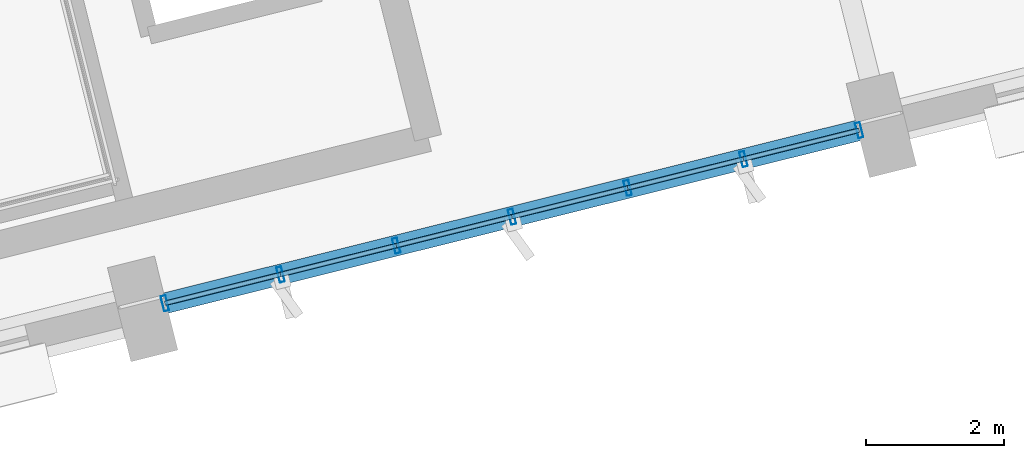
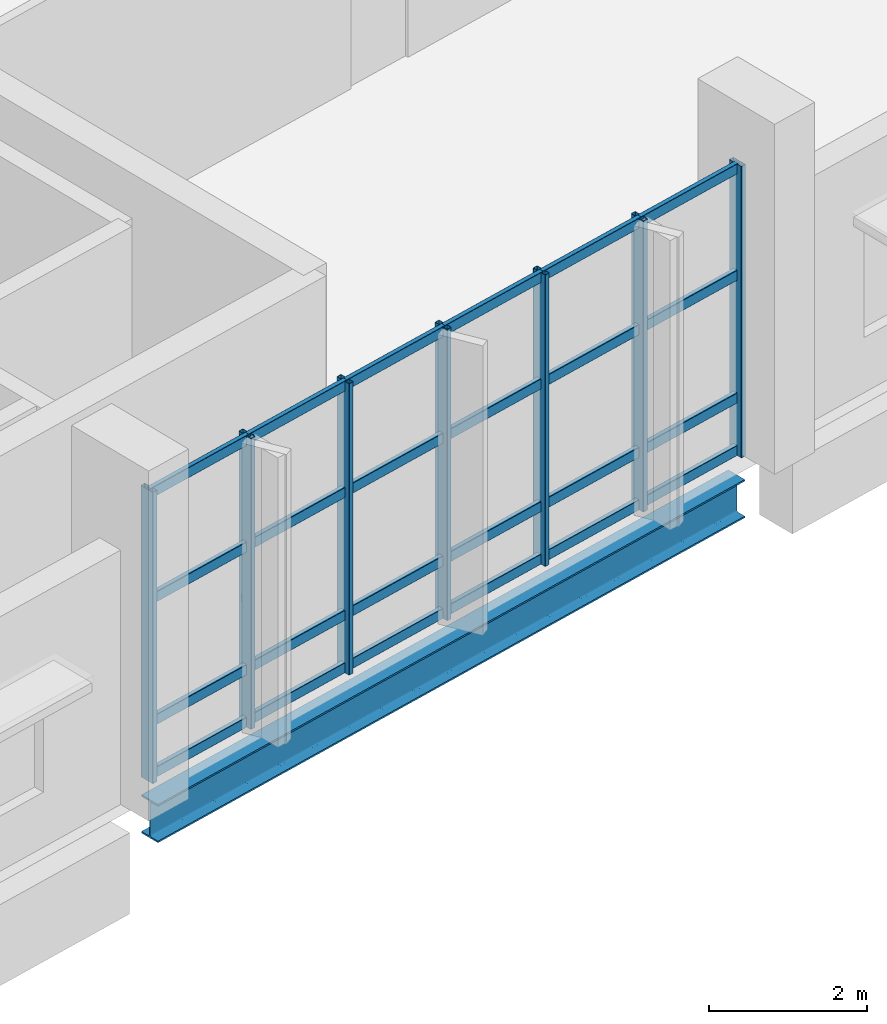
# One storey, part 76 of 176: 31 members, 1 beam, 1 element without a shape of its own.
"""IFC4 building model written with IfcOpenShell, lengths in metres."""

from ifc_helpers import new_model, si_unit, direction, frame, origin, origin_2d, place, context, subcontext, project, spatial, hollow_rectangle, i_section, extrude, material, layer, layer_set, material_profile, profile_set, type_object, element, aggregate, save


model = new_model("IFC4")

# Units and contexts
model_context = context("Model", 3, precision=1e-05, world=origin(), true_north=direction((0.0, 1.0)))
body_context = subcontext(model_context, "Body", "Model", "MODEL_VIEW")
ifc_project = project(units=[si_unit("LENGTHUNIT", "METRE"), si_unit("AREAUNIT", "SQUARE_METRE"), si_unit("VOLUMEUNIT", "CUBIC_METRE"), si_unit("PLANEANGLEUNIT", "RADIAN"), si_unit("MASSUNIT", "GRAM", prefix="KILO")], contexts=[model_context])

# Site, building, storey
site_placement = place(None, origin())
site = spatial("IfcSite", under=ifc_project, at=site_placement, CompositionType="ELEMENT")
building_placement = place(site_placement, origin())
building = spatial("IfcBuilding", under=site, at=building_placement, Name="Khorjan Park Terminus", CompositionType="ELEMENT")
storey_placement = place(building_placement, frame((0.0, 0.0, 6.0)))
storey = spatial("IfcBuildingStorey", under=building, at=storey_placement, Name="L01", CompositionType="ELEMENT", Elevation=6.0)

# Beam
ifc_material_1 = material(Name="Steel S355", Category="steel")
ifc_material_profile_1 = material_profile(ifc_material_1, i_section(OverallWidth=0.3, OverallDepth=0.59, WebThickness=0.013, FlangeThickness=0.025, FilletRadius=0.027, at=origin_2d()), Name="HEA 600")
ifc_profile_set_1 = profile_set([ifc_material_profile_1], Name="Steel S355")
beam_type = type_object("IfcBeamType", Name="BM-HEA600", PredefinedType="BEAM", material=ifc_profile_set_1)
beam_placement = place(storey_placement, frame((209.0278, 12.728, -0.655), z_axis=(0.970295784153, 0.241921663468, 0.0), x_axis=(-0.241921663468, 0.970295784153, 0.0)))
element("IfcBeam", 1, at=beam_placement, inside=storey, type_object=beam_type, Name="Primary skew-grid floor girder SB-A60 (L01)", PredefinedType="BEAM", context=body_context, shape_type="SweptSolid", body=[
    extrude(i_section(OverallWidth=0.3, OverallDepth=0.59, WebThickness=0.013, FlangeThickness=0.025, FilletRadius=0.027, at=origin_2d()), origin(), (0.0, 0.0, 1.0), 10.3099),
])

# Curtain wall, members
ifc_material_2 = material(Name="Anodized Bronze Aluminium", Category="aluminium")
ifc_layer = layer(ifc_material_2, 0.22)
ifc_layer_set = layer_set([ifc_layer], Name="Anodized Bronze Aluminium")
curtain_wall_type = type_object("IfcCurtainWallType", Name="CW-OPS-B", PredefinedType="NOTDEFINED", material=ifc_layer_set)
curtain_wall_placement = place(storey_placement, origin())
curtain_wall = element("IfcCurtainWall", 2, at=curtain_wall_placement, inside=storey, type_object=curtain_wall_type, Name="Unitized curtain wall CW-B (CW-V5-S-L01-B05)", PredefinedType="NOTDEFINED")
ifc_material_profile_2 = material_profile(ifc_material_2, hollow_rectangle(XDim=0.075, YDim=0.225, WallThickness=0.005, InnerFilletRadius=0.005, OuterFilletRadius=0.01, at=origin_2d()), Name="ALM 75x225x5")
ifc_profile_set_2 = profile_set([ifc_material_profile_2], Name="Anodized Bronze Aluminium")
member_type_1 = type_object("IfcMemberType", Name="ML-ALM-225", PredefinedType="MULLION", material=ifc_profile_set_2)
member_1_placement = place(storey_placement, frame((209.0133, 12.7245, -0.035), z_axis=(0.0, 0.0, 1.0), x_axis=(0.970298180833, 0.241912050695, 0.0)))
member_1 = element("IfcMember", 3, at=member_1_placement, type_object=member_type_1, Name="Curtain-wall mullion ML-22 (CW-V5-S-L01-B05-0)", PredefinedType="MULLION", context=body_context, shape_type="SweptSolid", body=[
    extrude(hollow_rectangle(XDim=0.075, YDim=0.225, WallThickness=0.005, InnerFilletRadius=0.005, OuterFilletRadius=0.01, at=origin_2d()), origin(), (0.0, 0.0, 1.0), 4.495),
])
member_2_placement = place(storey_placement, frame((210.6854, 13.1414, -0.035), z_axis=(0.0, 0.0, 1.0), x_axis=(0.970298180833, 0.241912050695, 0.0)))
member_2 = element("IfcMember", 4, at=member_2_placement, type_object=member_type_1, Name="Curtain-wall mullion ML-22 (CW-V5-S-L01-B05-1)", PredefinedType="MULLION", context=body_context, shape_type="SweptSolid", body=[
    extrude(hollow_rectangle(XDim=0.075, YDim=0.225, WallThickness=0.005, InnerFilletRadius=0.005, OuterFilletRadius=0.01, at=origin_2d()), origin(), (0.0, 0.0, 1.0), 4.495),
])
member_3_placement = place(storey_placement, frame((212.3575, 13.5583, -0.035), z_axis=(0.0, 0.0, 1.0), x_axis=(0.970298180833, 0.241912050695, 0.0)))
member_3 = element("IfcMember", 5, at=member_3_placement, type_object=member_type_1, Name="Curtain-wall mullion ML-22 (CW-V5-S-L01-B05-2)", PredefinedType="MULLION", context=body_context, shape_type="SweptSolid", body=[
    extrude(hollow_rectangle(XDim=0.075, YDim=0.225, WallThickness=0.005, InnerFilletRadius=0.005, OuterFilletRadius=0.01, at=origin_2d()), origin(), (0.0, 0.0, 1.0), 4.495),
])
member_4_placement = place(storey_placement, frame((214.0296, 13.9751, -0.035), z_axis=(0.0, 0.0, 1.0), x_axis=(0.970298180833, 0.241912050695, 0.0)))
member_4 = element("IfcMember", 6, at=member_4_placement, type_object=member_type_1, Name="Curtain-wall mullion ML-22 (CW-V5-S-L01-B05-3)", PredefinedType="MULLION", context=body_context, shape_type="SweptSolid", body=[
    extrude(hollow_rectangle(XDim=0.075, YDim=0.225, WallThickness=0.005, InnerFilletRadius=0.005, OuterFilletRadius=0.01, at=origin_2d()), origin(), (0.0, 0.0, 1.0), 4.495),
])
member_5_placement = place(storey_placement, frame((215.7017, 14.392, -0.035), z_axis=(0.0, 0.0, 1.0), x_axis=(0.970298180833, 0.241912050695, 0.0)))
member_5 = element("IfcMember", 7, at=member_5_placement, type_object=member_type_1, Name="Curtain-wall mullion ML-22 (CW-V5-S-L01-B05-4)", PredefinedType="MULLION", context=body_context, shape_type="SweptSolid", body=[
    extrude(hollow_rectangle(XDim=0.075, YDim=0.225, WallThickness=0.005, InnerFilletRadius=0.005, OuterFilletRadius=0.01, at=origin_2d()), origin(), (0.0, 0.0, 1.0), 4.495),
])
member_6_placement = place(storey_placement, frame((217.3738, 14.8089, -0.035), z_axis=(0.0, 0.0, 1.0), x_axis=(0.970298180833, 0.241912050695, 0.0)))
member_6 = element("IfcMember", 8, at=member_6_placement, type_object=member_type_1, Name="Curtain-wall mullion ML-22 (CW-V5-S-L01-B05-5)", PredefinedType="MULLION", context=body_context, shape_type="SweptSolid", body=[
    extrude(hollow_rectangle(XDim=0.075, YDim=0.225, WallThickness=0.005, InnerFilletRadius=0.005, OuterFilletRadius=0.01, at=origin_2d()), origin(), (0.0, 0.0, 1.0), 4.495),
])
member_7_placement = place(storey_placement, frame((219.0459, 15.2258, -0.035), z_axis=(0.0, 0.0, 1.0), x_axis=(0.970298180833, 0.241912050695, 0.0)))
member_7 = element("IfcMember", 9, at=member_7_placement, type_object=member_type_1, Name="Curtain-wall mullion ML-22 (CW-V5-S-L01-B05-6)", PredefinedType="MULLION", context=body_context, shape_type="SweptSolid", body=[
    extrude(hollow_rectangle(XDim=0.075, YDim=0.225, WallThickness=0.005, InnerFilletRadius=0.005, OuterFilletRadius=0.01, at=origin_2d()), origin(), (0.0, 0.0, 1.0), 4.495),
])
ifc_material_profile_3 = material_profile(ifc_material_2, hollow_rectangle(XDim=0.07, YDim=0.16, WallThickness=0.004, InnerFilletRadius=0.004, OuterFilletRadius=0.008, at=origin_2d()), Name="ALT 70x160x4")
ifc_profile_set_3 = profile_set([ifc_material_profile_3], Name="Anodized Bronze Aluminium")
member_type_2 = type_object("IfcMemberType", Name="TR-ALT-160", PredefinedType="USERDEFINED", material=ifc_profile_set_3)
member_8_placement = place(storey_placement, frame((209.0133, 12.7245, 0.04), z_axis=(0.970295910649, 0.241921156121, 0.0), x_axis=(-0.241921156121, 0.970295910649, 0.0)))
member_8 = element("IfcMember", 10, at=member_8_placement, type_object=member_type_2, Name="Curtain-wall transom TR-16 (CW-V5-S-L01-B05-0-1)", ObjectType="TRANSOM", PredefinedType="USERDEFINED", context=body_context, shape_type="SweptSolid", body=[
    extrude(hollow_rectangle(XDim=0.07, YDim=0.16, WallThickness=0.004, InnerFilletRadius=0.004, OuterFilletRadius=0.008, at=origin_2d()), origin(), (0.0, 0.0, 1.0), 1.7233),
])
member_9_placement = place(storey_placement, frame((209.0133, 12.7245, 0.85), z_axis=(0.970295910649, 0.241921156121, 0.0), x_axis=(-0.241921156121, 0.970295910649, 0.0)))
member_9 = element("IfcMember", 11, at=member_9_placement, type_object=member_type_2, Name="Curtain-wall transom TR-16 (CW-V5-S-L01-B05-0-2)", ObjectType="TRANSOM", PredefinedType="USERDEFINED", context=body_context, shape_type="SweptSolid", body=[
    extrude(hollow_rectangle(XDim=0.07, YDim=0.16, WallThickness=0.004, InnerFilletRadius=0.004, OuterFilletRadius=0.008, at=origin_2d()), origin(), (0.0, 0.0, 1.0), 1.7233),
])
member_10_placement = place(storey_placement, frame((209.0133, 12.7245, 2.7435), z_axis=(0.970295910649, 0.241921156121, 0.0), x_axis=(-0.241921156121, 0.970295910649, 0.0)))
member_10 = element("IfcMember", 12, at=member_10_placement, type_object=member_type_2, Name="Curtain-wall transom TR-16 (CW-V5-S-L01-B05-0-3)", ObjectType="TRANSOM", PredefinedType="USERDEFINED", context=body_context, shape_type="SweptSolid", body=[
    extrude(hollow_rectangle(XDim=0.07, YDim=0.16, WallThickness=0.004, InnerFilletRadius=0.004, OuterFilletRadius=0.008, at=origin_2d()), origin(), (0.0, 0.0, 1.0), 1.7233),
])
member_11_placement = place(storey_placement, frame((209.0133, 12.7245, 4.385), z_axis=(0.970295910649, 0.241921156121, 0.0), x_axis=(-0.241921156121, 0.970295910649, 0.0)))
member_11 = element("IfcMember", 13, at=member_11_placement, type_object=member_type_2, Name="Curtain-wall transom TR-16 (CW-V5-S-L01-B05-0-4)", ObjectType="TRANSOM", PredefinedType="USERDEFINED", context=body_context, shape_type="SweptSolid", body=[
    extrude(hollow_rectangle(XDim=0.07, YDim=0.16, WallThickness=0.004, InnerFilletRadius=0.004, OuterFilletRadius=0.008, at=origin_2d()), origin(), (0.0, 0.0, 1.0), 1.7233),
])
member_12_placement = place(storey_placement, frame((210.6854, 13.1414, 0.04), z_axis=(0.970295910649, 0.241921156121, 0.0), x_axis=(-0.241921156121, 0.970295910649, 0.0)))
member_12 = element("IfcMember", 14, at=member_12_placement, type_object=member_type_2, Name="Curtain-wall transom TR-16 (CW-V5-S-L01-B05-1-1)", ObjectType="TRANSOM", PredefinedType="USERDEFINED", context=body_context, shape_type="SweptSolid", body=[
    extrude(hollow_rectangle(XDim=0.07, YDim=0.16, WallThickness=0.004, InnerFilletRadius=0.004, OuterFilletRadius=0.008, at=origin_2d()), origin(), (0.0, 0.0, 1.0), 1.7233),
])
member_13_placement = place(storey_placement, frame((210.6854, 13.1414, 0.85), z_axis=(0.970295910649, 0.241921156121, 0.0), x_axis=(-0.241921156121, 0.970295910649, 0.0)))
member_13 = element("IfcMember", 15, at=member_13_placement, type_object=member_type_2, Name="Curtain-wall transom TR-16 (CW-V5-S-L01-B05-1-2)", ObjectType="TRANSOM", PredefinedType="USERDEFINED", context=body_context, shape_type="SweptSolid", body=[
    extrude(hollow_rectangle(XDim=0.07, YDim=0.16, WallThickness=0.004, InnerFilletRadius=0.004, OuterFilletRadius=0.008, at=origin_2d()), origin(), (0.0, 0.0, 1.0), 1.7233),
])
member_14_placement = place(storey_placement, frame((210.6854, 13.1414, 2.7435), z_axis=(0.970295910649, 0.241921156121, 0.0), x_axis=(-0.241921156121, 0.970295910649, 0.0)))
member_14 = element("IfcMember", 16, at=member_14_placement, type_object=member_type_2, Name="Curtain-wall transom TR-16 (CW-V5-S-L01-B05-1-3)", ObjectType="TRANSOM", PredefinedType="USERDEFINED", context=body_context, shape_type="SweptSolid", body=[
    extrude(hollow_rectangle(XDim=0.07, YDim=0.16, WallThickness=0.004, InnerFilletRadius=0.004, OuterFilletRadius=0.008, at=origin_2d()), origin(), (0.0, 0.0, 1.0), 1.7233),
])
member_15_placement = place(storey_placement, frame((210.6854, 13.1414, 4.385), z_axis=(0.970295910649, 0.241921156121, 0.0), x_axis=(-0.241921156121, 0.970295910649, 0.0)))
member_15 = element("IfcMember", 17, at=member_15_placement, type_object=member_type_2, Name="Curtain-wall transom TR-16 (CW-V5-S-L01-B05-1-4)", ObjectType="TRANSOM", PredefinedType="USERDEFINED", context=body_context, shape_type="SweptSolid", body=[
    extrude(hollow_rectangle(XDim=0.07, YDim=0.16, WallThickness=0.004, InnerFilletRadius=0.004, OuterFilletRadius=0.008, at=origin_2d()), origin(), (0.0, 0.0, 1.0), 1.7233),
])
member_16_placement = place(storey_placement, frame((212.3575, 13.5583, 0.04), z_axis=(0.970309530647, 0.241866522561, 0.0), x_axis=(-0.241866522561, 0.970309530647, 0.0)))
member_16 = element("IfcMember", 18, at=member_16_placement, type_object=member_type_2, Name="Curtain-wall transom TR-16 (CW-V5-S-L01-B05-2-1)", ObjectType="TRANSOM", PredefinedType="USERDEFINED", context=body_context, shape_type="SweptSolid", body=[
    extrude(hollow_rectangle(XDim=0.07, YDim=0.16, WallThickness=0.004, InnerFilletRadius=0.004, OuterFilletRadius=0.008, at=origin_2d()), origin(), (0.0, 0.0, 1.0), 1.7233),
])
member_17_placement = place(storey_placement, frame((212.3575, 13.5583, 0.85), z_axis=(0.970309530647, 0.241866522561, 0.0), x_axis=(-0.241866522561, 0.970309530647, 0.0)))
member_17 = element("IfcMember", 19, at=member_17_placement, type_object=member_type_2, Name="Curtain-wall transom TR-16 (CW-V5-S-L01-B05-2-2)", ObjectType="TRANSOM", PredefinedType="USERDEFINED", context=body_context, shape_type="SweptSolid", body=[
    extrude(hollow_rectangle(XDim=0.07, YDim=0.16, WallThickness=0.004, InnerFilletRadius=0.004, OuterFilletRadius=0.008, at=origin_2d()), origin(), (0.0, 0.0, 1.0), 1.7233),
])
member_18_placement = place(storey_placement, frame((212.3575, 13.5583, 2.7435), z_axis=(0.970309530647, 0.241866522561, 0.0), x_axis=(-0.241866522561, 0.970309530647, 0.0)))
member_18 = element("IfcMember", 20, at=member_18_placement, type_object=member_type_2, Name="Curtain-wall transom TR-16 (CW-V5-S-L01-B05-2-3)", ObjectType="TRANSOM", PredefinedType="USERDEFINED", context=body_context, shape_type="SweptSolid", body=[
    extrude(hollow_rectangle(XDim=0.07, YDim=0.16, WallThickness=0.004, InnerFilletRadius=0.004, OuterFilletRadius=0.008, at=origin_2d()), origin(), (0.0, 0.0, 1.0), 1.7233),
])
member_19_placement = place(storey_placement, frame((212.3575, 13.5583, 4.385), z_axis=(0.970309530647, 0.241866522561, 0.0), x_axis=(-0.241866522561, 0.970309530647, 0.0)))
member_19 = element("IfcMember", 21, at=member_19_placement, type_object=member_type_2, Name="Curtain-wall transom TR-16 (CW-V5-S-L01-B05-2-4)", ObjectType="TRANSOM", PredefinedType="USERDEFINED", context=body_context, shape_type="SweptSolid", body=[
    extrude(hollow_rectangle(XDim=0.07, YDim=0.16, WallThickness=0.004, InnerFilletRadius=0.004, OuterFilletRadius=0.008, at=origin_2d()), origin(), (0.0, 0.0, 1.0), 1.7233),
])
member_20_placement = place(storey_placement, frame((214.0296, 13.9751, 0.04), z_axis=(0.970295910649, 0.241921156121, 0.0), x_axis=(-0.241921156121, 0.970295910649, 0.0)))
member_20 = element("IfcMember", 22, at=member_20_placement, type_object=member_type_2, Name="Curtain-wall transom TR-16 (CW-V5-S-L01-B05-3-1)", ObjectType="TRANSOM", PredefinedType="USERDEFINED", context=body_context, shape_type="SweptSolid", body=[
    extrude(hollow_rectangle(XDim=0.07, YDim=0.16, WallThickness=0.004, InnerFilletRadius=0.004, OuterFilletRadius=0.008, at=origin_2d()), origin(), (0.0, 0.0, 1.0), 1.7233),
])
member_21_placement = place(storey_placement, frame((214.0296, 13.9751, 0.85), z_axis=(0.970295910649, 0.241921156121, 0.0), x_axis=(-0.241921156121, 0.970295910649, 0.0)))
member_21 = element("IfcMember", 23, at=member_21_placement, type_object=member_type_2, Name="Curtain-wall transom TR-16 (CW-V5-S-L01-B05-3-2)", ObjectType="TRANSOM", PredefinedType="USERDEFINED", context=body_context, shape_type="SweptSolid", body=[
    extrude(hollow_rectangle(XDim=0.07, YDim=0.16, WallThickness=0.004, InnerFilletRadius=0.004, OuterFilletRadius=0.008, at=origin_2d()), origin(), (0.0, 0.0, 1.0), 1.7233),
])
member_22_placement = place(storey_placement, frame((214.0296, 13.9751, 2.7435), z_axis=(0.970295910649, 0.241921156121, 0.0), x_axis=(-0.241921156121, 0.970295910649, 0.0)))
member_22 = element("IfcMember", 24, at=member_22_placement, type_object=member_type_2, Name="Curtain-wall transom TR-16 (CW-V5-S-L01-B05-3-3)", ObjectType="TRANSOM", PredefinedType="USERDEFINED", context=body_context, shape_type="SweptSolid", body=[
    extrude(hollow_rectangle(XDim=0.07, YDim=0.16, WallThickness=0.004, InnerFilletRadius=0.004, OuterFilletRadius=0.008, at=origin_2d()), origin(), (0.0, 0.0, 1.0), 1.7233),
])
member_23_placement = place(storey_placement, frame((214.0296, 13.9751, 4.385), z_axis=(0.970295910649, 0.241921156121, 0.0), x_axis=(-0.241921156121, 0.970295910649, 0.0)))
member_23 = element("IfcMember", 25, at=member_23_placement, type_object=member_type_2, Name="Curtain-wall transom TR-16 (CW-V5-S-L01-B05-3-4)", ObjectType="TRANSOM", PredefinedType="USERDEFINED", context=body_context, shape_type="SweptSolid", body=[
    extrude(hollow_rectangle(XDim=0.07, YDim=0.16, WallThickness=0.004, InnerFilletRadius=0.004, OuterFilletRadius=0.008, at=origin_2d()), origin(), (0.0, 0.0, 1.0), 1.7233),
])
member_24_placement = place(storey_placement, frame((215.7017, 14.392, 0.04), z_axis=(0.970295910649, 0.241921156121, 0.0), x_axis=(-0.241921156121, 0.970295910649, 0.0)))
member_24 = element("IfcMember", 26, at=member_24_placement, type_object=member_type_2, Name="Curtain-wall transom TR-16 (CW-V5-S-L01-B05-4-1)", ObjectType="TRANSOM", PredefinedType="USERDEFINED", context=body_context, shape_type="SweptSolid", body=[
    extrude(hollow_rectangle(XDim=0.07, YDim=0.16, WallThickness=0.004, InnerFilletRadius=0.004, OuterFilletRadius=0.008, at=origin_2d()), origin(), (0.0, 0.0, 1.0), 1.7233),
])
member_25_placement = place(storey_placement, frame((215.7017, 14.392, 0.85), z_axis=(0.970295910649, 0.241921156121, 0.0), x_axis=(-0.241921156121, 0.970295910649, 0.0)))
member_25 = element("IfcMember", 27, at=member_25_placement, type_object=member_type_2, Name="Curtain-wall transom TR-16 (CW-V5-S-L01-B05-4-2)", ObjectType="TRANSOM", PredefinedType="USERDEFINED", context=body_context, shape_type="SweptSolid", body=[
    extrude(hollow_rectangle(XDim=0.07, YDim=0.16, WallThickness=0.004, InnerFilletRadius=0.004, OuterFilletRadius=0.008, at=origin_2d()), origin(), (0.0, 0.0, 1.0), 1.7233),
])
member_26_placement = place(storey_placement, frame((215.7017, 14.392, 2.7435), z_axis=(0.970295910649, 0.241921156121, 0.0), x_axis=(-0.241921156121, 0.970295910649, 0.0)))
member_26 = element("IfcMember", 28, at=member_26_placement, type_object=member_type_2, Name="Curtain-wall transom TR-16 (CW-V5-S-L01-B05-4-3)", ObjectType="TRANSOM", PredefinedType="USERDEFINED", context=body_context, shape_type="SweptSolid", body=[
    extrude(hollow_rectangle(XDim=0.07, YDim=0.16, WallThickness=0.004, InnerFilletRadius=0.004, OuterFilletRadius=0.008, at=origin_2d()), origin(), (0.0, 0.0, 1.0), 1.7233),
])
member_27_placement = place(storey_placement, frame((215.7017, 14.392, 4.385), z_axis=(0.970295910649, 0.241921156121, 0.0), x_axis=(-0.241921156121, 0.970295910649, 0.0)))
member_27 = element("IfcMember", 29, at=member_27_placement, type_object=member_type_2, Name="Curtain-wall transom TR-16 (CW-V5-S-L01-B05-4-4)", ObjectType="TRANSOM", PredefinedType="USERDEFINED", context=body_context, shape_type="SweptSolid", body=[
    extrude(hollow_rectangle(XDim=0.07, YDim=0.16, WallThickness=0.004, InnerFilletRadius=0.004, OuterFilletRadius=0.008, at=origin_2d()), origin(), (0.0, 0.0, 1.0), 1.7233),
])
member_28_placement = place(storey_placement, frame((217.3738, 14.8089, 0.04), z_axis=(0.970295910649, 0.241921156121, 0.0), x_axis=(-0.241921156121, 0.970295910649, 0.0)))
member_28 = element("IfcMember", 30, at=member_28_placement, type_object=member_type_2, Name="Curtain-wall transom TR-16 (CW-V5-S-L01-B05-5-1)", ObjectType="TRANSOM", PredefinedType="USERDEFINED", context=body_context, shape_type="SweptSolid", body=[
    extrude(hollow_rectangle(XDim=0.07, YDim=0.16, WallThickness=0.004, InnerFilletRadius=0.004, OuterFilletRadius=0.008, at=origin_2d()), origin(), (0.0, 0.0, 1.0), 1.7233),
])
member_29_placement = place(storey_placement, frame((217.3738, 14.8089, 0.85), z_axis=(0.970295910649, 0.241921156121, 0.0), x_axis=(-0.241921156121, 0.970295910649, 0.0)))
member_29 = element("IfcMember", 31, at=member_29_placement, type_object=member_type_2, Name="Curtain-wall transom TR-16 (CW-V5-S-L01-B05-5-2)", ObjectType="TRANSOM", PredefinedType="USERDEFINED", context=body_context, shape_type="SweptSolid", body=[
    extrude(hollow_rectangle(XDim=0.07, YDim=0.16, WallThickness=0.004, InnerFilletRadius=0.004, OuterFilletRadius=0.008, at=origin_2d()), origin(), (0.0, 0.0, 1.0), 1.7233),
])
member_30_placement = place(storey_placement, frame((217.3738, 14.8089, 2.7435), z_axis=(0.970295910649, 0.241921156121, 0.0), x_axis=(-0.241921156121, 0.970295910649, 0.0)))
member_30 = element("IfcMember", 32, at=member_30_placement, type_object=member_type_2, Name="Curtain-wall transom TR-16 (CW-V5-S-L01-B05-5-3)", ObjectType="TRANSOM", PredefinedType="USERDEFINED", context=body_context, shape_type="SweptSolid", body=[
    extrude(hollow_rectangle(XDim=0.07, YDim=0.16, WallThickness=0.004, InnerFilletRadius=0.004, OuterFilletRadius=0.008, at=origin_2d()), origin(), (0.0, 0.0, 1.0), 1.7233),
])
member_31_placement = place(storey_placement, frame((217.3738, 14.8089, 4.385), z_axis=(0.970295910649, 0.241921156121, 0.0), x_axis=(-0.241921156121, 0.970295910649, 0.0)))
member_31 = element("IfcMember", 33, at=member_31_placement, type_object=member_type_2, Name="Curtain-wall transom TR-16 (CW-V5-S-L01-B05-5-4)", ObjectType="TRANSOM", PredefinedType="USERDEFINED", context=body_context, shape_type="SweptSolid", body=[
    extrude(hollow_rectangle(XDim=0.07, YDim=0.16, WallThickness=0.004, InnerFilletRadius=0.004, OuterFilletRadius=0.008, at=origin_2d()), origin(), (0.0, 0.0, 1.0), 1.7233),
])
aggregate(curtain_wall, [member_1, member_2, member_3, member_4, member_5, member_6, member_7, member_8, member_9, member_10, member_11, member_12, member_13, member_14, member_15, member_16, member_17, member_18, member_19, member_20, member_21, member_22, member_23, member_24, member_25, member_26, member_27, member_28, member_29, member_30, member_31])

save(model, "model.ifc")
